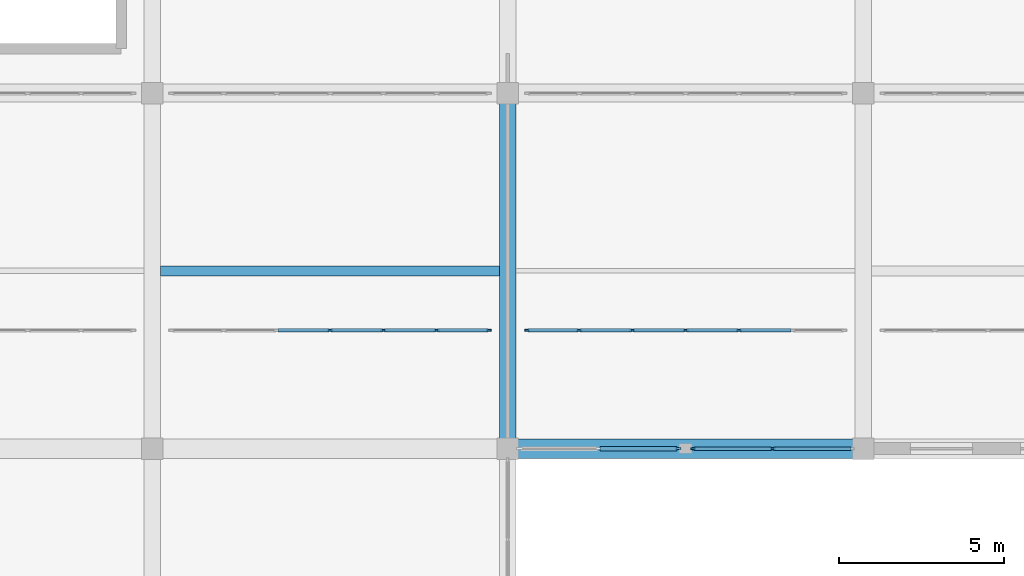
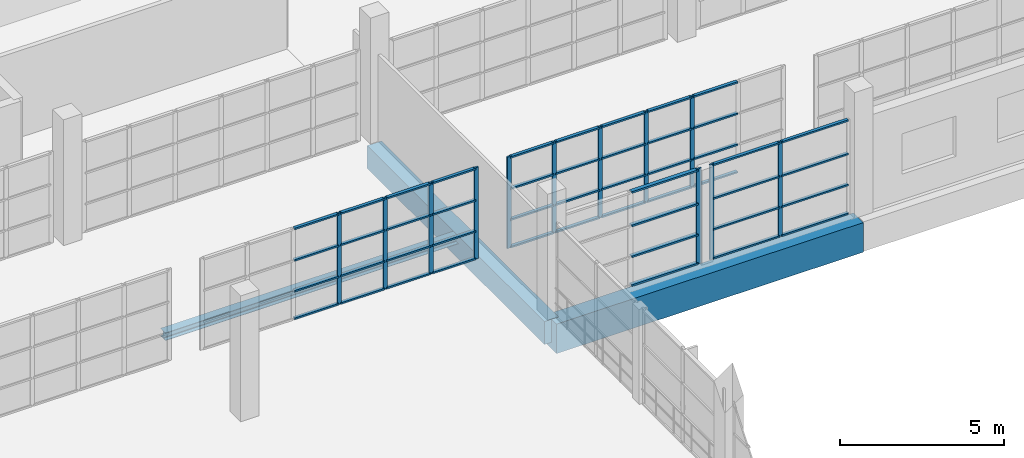
# One storey, part 42 of 142: 60 members, 3 beams, 4 elements without a shape of their own.
"""IFC4 building model written with IfcOpenShell, lengths in metres."""

from ifc_helpers import new_model, si_unit, direction, frame, origin, origin_2d, place, context, subcontext, project, spatial, rectangle, i_section, extrude, material, material_profile, profile_set, type_object, element, aggregate, save


model = new_model("IFC4")

# Units and contexts
model_context = context("Model", 3, precision=1e-05, world=origin(), true_north=direction((0.0, 1.0)))
body_context = subcontext(model_context, "Body", "Model", "MODEL_VIEW")
ifc_project = project(units=[si_unit("LENGTHUNIT", "METRE"), si_unit("AREAUNIT", "SQUARE_METRE"), si_unit("VOLUMEUNIT", "CUBIC_METRE"), si_unit("PLANEANGLEUNIT", "RADIAN"), si_unit("MASSUNIT", "GRAM", prefix="KILO")], contexts=[model_context])

# Site, building, storey
site_placement = place(None, origin())
site = spatial("IfcSite", under=ifc_project, at=site_placement, CompositionType="ELEMENT")
building_placement = place(site_placement, origin())
building = spatial("IfcBuilding", under=site, at=building_placement, Name="Zwinboog Wholesale Market", CompositionType="ELEMENT")
storey_placement = place(building_placement, frame((0.0, 0.0, 5.39990234375)))
storey = spatial("IfcBuildingStorey", under=building, at=storey_placement, Name="L01", CompositionType="ELEMENT", Elevation=5.39990234375)

# Beams
ifc_material_1 = material(Name="Precast concrete C45/55", Category="concrete")
ifc_material_profile_1 = material_profile(ifc_material_1, rectangle(XDim=0.60009765625, YDim=1.10009765625, at=origin_2d()), Name="PC 600x1100")
ifc_profile_set_1 = profile_set([ifc_material_profile_1], Name="Precast concrete C45/55")
beam_type_1 = type_object("IfcBeamType", Name="BT-01", PredefinedType="BEAM", material=ifc_profile_set_1)
beam_1_placement = place(storey_placement, frame((86.39990234375, 86.39990234375, -0.829833984375), z_axis=(1.0, 0.0, 0.0), x_axis=(0.0, 1.0, 0.0)))
element("IfcBeam", 1, at=beam_1_placement, inside=storey, type_object=beam_type_1, Name="BG-01 (BMG-L01-0864-0864-0517)", PredefinedType="BEAM", context=body_context, shape_type="SweptSolid", body=[
    extrude(rectangle(XDim=0.60009765625, YDim=1.10009765625, at=origin_2d()), origin(), (0.0, 0.0, 1.0), 10.800048828125),
])
ifc_material_profile_2 = material_profile(ifc_material_1, rectangle(XDim=0.5, YDim=0.85009765625, at=origin_2d()), Name="PC 500x850")
ifc_profile_set_2 = profile_set([ifc_material_profile_2], Name="Precast concrete C45/55")
beam_type_2 = type_object("IfcBeamType", Name="BT-03", PredefinedType="BEAM", material=ifc_profile_set_2)
beam_2_placement = place(storey_placement, frame((86.39990234375, 86.39990234375, -0.704833984375), z_axis=(0.0, 1.0, 0.0), x_axis=(-1.0, 0.0, 0.0)))
element("IfcBeam", 2, at=beam_2_placement, inside=storey, type_object=beam_type_2, Name="BG-03 (BMG-L01-0864-0864-0685)", PredefinedType="BEAM", context=body_context, shape_type="SweptSolid", body=[
    extrude(rectangle(XDim=0.5, YDim=0.85009765625, at=origin_2d()), origin(), (0.0, 0.0, 1.0), 10.800048828125),
])
ifc_material_2 = material(Name="Steel S355", Category="steel")
ifc_material_profile_3 = material_profile(ifc_material_2, i_section(OverallWidth=0.300048828125, OverallDepth=0.2900390625, WebThickness=0.008544921875, FlangeThickness=0.013916015625, FilletRadius=0.027099609375, at=origin_2d()), Name="HEA 300")
ifc_profile_set_3 = profile_set([ifc_material_profile_3], Name="Steel S355")
beam_type_3 = type_object("IfcBeamType", Name="BT-18", PredefinedType="JOIST", material=ifc_profile_set_3)
beam_3_placement = place(storey_placement, frame((75.85009765625, 91.800048828125, -0.4248046875), z_axis=(1.0, 0.0, 0.0), x_axis=(0.0, 1.0, 0.0)))
element("IfcBeam", 3, at=beam_3_placement, inside=storey, type_object=beam_type_3, Name="SJ-01 (BMG-L01-0758-0918-0826)", PredefinedType="JOIST", context=body_context, shape_type="SweptSolid", body=[
    extrude(i_section(OverallWidth=0.300048828125, OverallDepth=0.2900390625, WebThickness=0.008544921875, FlangeThickness=0.013916015625, FilletRadius=0.027099609375, at=origin_2d()), origin(), (0.0, 0.0, 1.0), 10.2998046875),
])

# Curtain wall, member
ifc_material_3 = material(Name="Aluminium thermally broken curtain wall", Category="aluminium")
curtain_wall_type_1 = type_object("IfcCurtainWallType", Name="CWT-STALL-18", PredefinedType="USERDEFINED", material=ifc_material_3)
curtain_wall_1_placement = place(storey_placement, origin())
curtain_wall_1 = element("IfcCurtainWall", 4, at=curtain_wall_1_placement, inside=storey, type_object=curtain_wall_type_1, Name="CW-01 (CW-L01-097)", ObjectType="STOREFRONT_GLAZING", PredefinedType="USERDEFINED")
ifc_material_4 = material(Name="Aluminium EN AW-6060", Category="aluminium")
ifc_material_profile_4 = material_profile(ifc_material_4, rectangle(XDim=0.06494140625, YDim=0.179931640625, at=origin_2d()), Name="AL 65x180")
ifc_profile_set_4 = profile_set([ifc_material_profile_4], Name="Aluminium EN AW-6060")
member_type_1 = type_object("IfcMemberType", Name="CWM-65x180", PredefinedType="MULLION", material=ifc_profile_set_4)
member_1_placement = place(storey_placement, frame((91.5673828125, 86.39990234375, 0.0), z_axis=(0.0, 0.0, 1.0), x_axis=(0.0, 1.0, 0.0)))
member_1 = element("IfcMember", 5, at=member_1_placement, type_object=member_type_1, Name="CW-01 mullion 3", PredefinedType="MULLION", context=body_context, shape_type="SweptSolid", body=[
    extrude(rectangle(XDim=0.06494140625, YDim=0.179931640625, at=origin_2d()), origin(), (0.0, 0.0, 1.0), 3.530029296875),
])

# Curtain wall, members
curtain_wall_type_2 = type_object("IfcCurtainWallType", Name="CWT-STALL-20", PredefinedType="USERDEFINED", material=ifc_material_3)
curtain_wall_2_placement = place(storey_placement, origin())
curtain_wall_2 = element("IfcCurtainWall", 6, at=curtain_wall_2_placement, inside=storey, type_object=curtain_wall_type_2, Name="CW-02 (CW-L01-098)", ObjectType="STOREFRONT_GLAZING", PredefinedType="USERDEFINED")
ifc_material_profile_5 = material_profile(ifc_material_4, rectangle(XDim=0.06005859375, YDim=0.14990234375, at=origin_2d()), Name="AL 60x150")
ifc_profile_set_5 = profile_set([ifc_material_profile_5], Name="Aluminium EN AW-6060")
member_type_2 = type_object("IfcMemberType", Name="CWM-60x150", PredefinedType="MULLION", material=ifc_profile_set_5)
member_2_placement = place(storey_placement, frame((92.030029296875, 86.39990234375, 0.0), z_axis=(0.0, 0.0, 1.0), x_axis=(0.0, 1.0, 0.0)))
member_2 = element("IfcMember", 7, at=member_2_placement, type_object=member_type_2, Name="CW-02 mullion 1", PredefinedType="MULLION", context=body_context, shape_type="SweptSolid", body=[
    extrude(rectangle(XDim=0.06005859375, YDim=0.14990234375, at=origin_2d()), origin(), (0.0, 0.0, 1.0), 3.530029296875),
])
member_3_placement = place(storey_placement, frame((94.43994140625, 86.39990234375, 0.0), z_axis=(0.0, 0.0, 1.0), x_axis=(0.0, 1.0, 0.0)))
member_3 = element("IfcMember", 8, at=member_3_placement, type_object=member_type_2, Name="CW-02 mullion 2", PredefinedType="MULLION", context=body_context, shape_type="SweptSolid", body=[
    extrude(rectangle(XDim=0.06005859375, YDim=0.14990234375, at=origin_2d()), origin(), (0.0, 0.0, 1.0), 3.530029296875),
])

# Member
ifc_material_profile_6 = material_profile(ifc_material_4, rectangle(XDim=0.139892578125, YDim=0.06494140625, at=origin_2d()), Name="AL 65x140")
ifc_profile_set_6 = profile_set([ifc_material_profile_6], Name="Aluminium EN AW-6060")
member_type_3 = type_object("IfcMemberType", Name="CWT-65x140", PredefinedType="USERDEFINED", material=ifc_profile_set_6)
member_4_placement = place(storey_placement, frame((89.1923828125, 86.39990234375, 0.03271484375), z_axis=(1.0, 0.0, 0.0), x_axis=(0.0, 1.0, 0.0)))
member_4 = element("IfcMember", 9, at=member_4_placement, type_object=member_type_3, Name="CW-01 transom 2.1", ObjectType="TRANSOM", PredefinedType="USERDEFINED", context=body_context, shape_type="SweptSolid", body=[
    extrude(rectangle(XDim=0.139892578125, YDim=0.06494140625, at=origin_2d()), origin(), (0.0, 0.0, 1.0), 2.342529296875),
])

member_5_placement = place(storey_placement, frame((89.1923828125, 86.39990234375, 1.10009765625), z_axis=(1.0, 0.0, 0.0), x_axis=(0.0, 1.0, 0.0)))
member_5 = element("IfcMember", 10, at=member_5_placement, type_object=member_type_3, Name="CW-01 transom 2.2", ObjectType="TRANSOM", PredefinedType="USERDEFINED", context=body_context, shape_type="SweptSolid", body=[
    extrude(rectangle(XDim=0.139892578125, YDim=0.06494140625, at=origin_2d()), origin(), (0.0, 0.0, 1.0), 2.342529296875),
])

member_6_placement = place(storey_placement, frame((89.1923828125, 86.39990234375, 2.25), z_axis=(1.0, 0.0, 0.0), x_axis=(0.0, 1.0, 0.0)))
member_6 = element("IfcMember", 11, at=member_6_placement, type_object=member_type_3, Name="CW-01 transom 2.3", ObjectType="TRANSOM", PredefinedType="USERDEFINED", context=body_context, shape_type="SweptSolid", body=[
    extrude(rectangle(XDim=0.139892578125, YDim=0.06494140625, at=origin_2d()), origin(), (0.0, 0.0, 1.0), 2.342529296875),
])

member_7_placement = place(storey_placement, frame((89.1923828125, 86.39990234375, 3.49755859375), z_axis=(1.0, 0.0, 0.0), x_axis=(0.0, 1.0, 0.0)))
member_7 = element("IfcMember", 12, at=member_7_placement, type_object=member_type_3, Name="CW-01 transom 2.4", ObjectType="TRANSOM", PredefinedType="USERDEFINED", context=body_context, shape_type="SweptSolid", body=[
    extrude(rectangle(XDim=0.139892578125, YDim=0.06494140625, at=origin_2d()), origin(), (0.0, 0.0, 1.0), 2.342529296875),
])

aggregate(curtain_wall_1, [member_1, member_4, member_5, member_6, member_7])

ifc_material_profile_7 = material_profile(ifc_material_4, rectangle(XDim=0.110107421875, YDim=0.06005859375, at=origin_2d()), Name="AL 60x110")
ifc_profile_set_7 = profile_set([ifc_material_profile_7], Name="Aluminium EN AW-6060")
member_type_4 = type_object("IfcMemberType", Name="CWT-60x110", PredefinedType="USERDEFINED", material=ifc_profile_set_7)
member_8_placement = place(storey_placement, frame((92.06005859375, 86.39990234375, 0.030029296875), z_axis=(1.0, 0.0, 0.0), x_axis=(0.0, 1.0, 0.0)))
member_8 = element("IfcMember", 13, at=member_8_placement, type_object=member_type_4, Name="CW-02 transom 1.1", ObjectType="TRANSOM", PredefinedType="USERDEFINED", context=body_context, shape_type="SweptSolid", body=[
    extrude(rectangle(XDim=0.110107421875, YDim=0.06005859375, at=origin_2d()), origin(), (0.0, 0.0, 1.0), 2.349853515625),
])

member_9_placement = place(storey_placement, frame((92.06005859375, 86.39990234375, 1.10009765625), z_axis=(1.0, 0.0, 0.0), x_axis=(0.0, 1.0, 0.0)))
member_9 = element("IfcMember", 14, at=member_9_placement, type_object=member_type_4, Name="CW-02 transom 1.2", ObjectType="TRANSOM", PredefinedType="USERDEFINED", context=body_context, shape_type="SweptSolid", body=[
    extrude(rectangle(XDim=0.110107421875, YDim=0.06005859375, at=origin_2d()), origin(), (0.0, 0.0, 1.0), 2.349853515625),
])

member_10_placement = place(storey_placement, frame((92.06005859375, 86.39990234375, 2.25), z_axis=(1.0, 0.0, 0.0), x_axis=(0.0, 1.0, 0.0)))
member_10 = element("IfcMember", 15, at=member_10_placement, type_object=member_type_4, Name="CW-02 transom 1.3", ObjectType="TRANSOM", PredefinedType="USERDEFINED", context=body_context, shape_type="SweptSolid", body=[
    extrude(rectangle(XDim=0.110107421875, YDim=0.06005859375, at=origin_2d()), origin(), (0.0, 0.0, 1.0), 2.349853515625),
])

member_11_placement = place(storey_placement, frame((92.06005859375, 86.39990234375, 3.5), z_axis=(1.0, 0.0, 0.0), x_axis=(0.0, 1.0, 0.0)))
member_11 = element("IfcMember", 16, at=member_11_placement, type_object=member_type_4, Name="CW-02 transom 1.4", ObjectType="TRANSOM", PredefinedType="USERDEFINED", context=body_context, shape_type="SweptSolid", body=[
    extrude(rectangle(XDim=0.110107421875, YDim=0.06005859375, at=origin_2d()), origin(), (0.0, 0.0, 1.0), 2.349853515625),
])

member_12_placement = place(storey_placement, frame((94.469970703125, 86.39990234375, 0.030029296875), z_axis=(1.0, 0.0, 0.0), x_axis=(0.0, 1.0, 0.0)))
member_12 = element("IfcMember", 17, at=member_12_placement, type_object=member_type_4, Name="CW-02 transom 2.1", ObjectType="TRANSOM", PredefinedType="USERDEFINED", context=body_context, shape_type="SweptSolid", body=[
    extrude(rectangle(XDim=0.110107421875, YDim=0.06005859375, at=origin_2d()), origin(), (0.0, 0.0, 1.0), 2.35009765625),
])

member_13_placement = place(storey_placement, frame((94.469970703125, 86.39990234375, 1.10009765625), z_axis=(1.0, 0.0, 0.0), x_axis=(0.0, 1.0, 0.0)))
member_13 = element("IfcMember", 18, at=member_13_placement, type_object=member_type_4, Name="CW-02 transom 2.2", ObjectType="TRANSOM", PredefinedType="USERDEFINED", context=body_context, shape_type="SweptSolid", body=[
    extrude(rectangle(XDim=0.110107421875, YDim=0.06005859375, at=origin_2d()), origin(), (0.0, 0.0, 1.0), 2.35009765625),
])

member_14_placement = place(storey_placement, frame((94.469970703125, 86.39990234375, 2.25), z_axis=(1.0, 0.0, 0.0), x_axis=(0.0, 1.0, 0.0)))
member_14 = element("IfcMember", 19, at=member_14_placement, type_object=member_type_4, Name="CW-02 transom 2.3", ObjectType="TRANSOM", PredefinedType="USERDEFINED", context=body_context, shape_type="SweptSolid", body=[
    extrude(rectangle(XDim=0.110107421875, YDim=0.06005859375, at=origin_2d()), origin(), (0.0, 0.0, 1.0), 2.35009765625),
])

member_15_placement = place(storey_placement, frame((94.469970703125, 86.39990234375, 3.5), z_axis=(1.0, 0.0, 0.0), x_axis=(0.0, 1.0, 0.0)))
member_15 = element("IfcMember", 20, at=member_15_placement, type_object=member_type_4, Name="CW-02 transom 2.4", ObjectType="TRANSOM", PredefinedType="USERDEFINED", context=body_context, shape_type="SweptSolid", body=[
    extrude(rectangle(XDim=0.110107421875, YDim=0.06005859375, at=origin_2d()), origin(), (0.0, 0.0, 1.0), 2.35009765625),
])

aggregate(curtain_wall_2, [member_2, member_3, member_8, member_9, member_10, member_11, member_12, member_13, member_14, member_15])

# Curtain wall, members
curtain_wall_type_3 = type_object("IfcCurtainWallType", Name="CWT-INT-STALL", PredefinedType="USERDEFINED", material=ifc_material_3)
curtain_wall_3_placement = place(storey_placement, origin())
curtain_wall_3 = element("IfcCurtainWall", 21, at=curtain_wall_3_placement, inside=storey, type_object=curtain_wall_type_3, Name="CW-07 (CW-STL-236)", ObjectType="STOREFRONT_GLAZING", PredefinedType="USERDEFINED")
ifc_material_profile_8 = material_profile(ifc_material_4, rectangle(XDim=0.06005859375, YDim=0.14990234375, at=origin_2d()), Name="AL 60x150")
ifc_profile_set_8 = profile_set([ifc_material_profile_8], Name="Aluminium EN AW-6060")
member_type_5 = type_object("IfcMemberType", Name="CWM-INT-60x120", PredefinedType="MULLION", material=ifc_profile_set_8)
member_16_placement = place(storey_placement, frame((81.0, 90.0, 0.0), z_axis=(0.0, 0.0, 1.0), x_axis=(0.0, 1.0, 0.0)))
member_16 = element("IfcMember", 22, at=member_16_placement, type_object=member_type_5, Name="CW-07 mullion 4", PredefinedType="MULLION", context=body_context, shape_type="SweptSolid", body=[
    extrude(rectangle(XDim=0.06005859375, YDim=0.14990234375, at=origin_2d()), origin(), (0.0, 0.0, 1.0), 3.400146484375),
])
member_17_placement = place(storey_placement, frame((82.61669921875, 90.0, 0.0), z_axis=(0.0, 0.0, 1.0), x_axis=(0.0, 1.0, 0.0)))
member_17 = element("IfcMember", 23, at=member_17_placement, type_object=member_type_5, Name="CW-07 mullion 5", PredefinedType="MULLION", context=body_context, shape_type="SweptSolid", body=[
    extrude(rectangle(XDim=0.06005859375, YDim=0.14990234375, at=origin_2d()), origin(), (0.0, 0.0, 1.0), 3.400146484375),
])
member_18_placement = place(storey_placement, frame((84.2333984375, 90.0, 0.0), z_axis=(0.0, 0.0, 1.0), x_axis=(0.0, 1.0, 0.0)))
member_18 = element("IfcMember", 24, at=member_18_placement, type_object=member_type_5, Name="CW-07 mullion 6", PredefinedType="MULLION", context=body_context, shape_type="SweptSolid", body=[
    extrude(rectangle(XDim=0.06005859375, YDim=0.14990234375, at=origin_2d()), origin(), (0.0, 0.0, 1.0), 3.400146484375),
])
member_19_placement = place(storey_placement, frame((85.820068359375, 90.0, 0.0), z_axis=(0.0, 0.0, 1.0), x_axis=(0.0, 1.0, 0.0)))
member_19 = element("IfcMember", 25, at=member_19_placement, type_object=member_type_5, Name="CW-07 mullion 7", PredefinedType="MULLION", context=body_context, shape_type="SweptSolid", body=[
    extrude(rectangle(XDim=0.06005859375, YDim=0.14990234375, at=origin_2d()), origin(), (0.0, 0.0, 1.0), 3.400146484375),
])

curtain_wall_4_placement = place(storey_placement, origin())
curtain_wall_4 = element("IfcCurtainWall", 26, at=curtain_wall_4_placement, inside=storey, type_object=curtain_wall_type_3, Name="CW-07 (CW-STL-237)", ObjectType="STOREFRONT_GLAZING", PredefinedType="USERDEFINED")
member_20_placement = place(storey_placement, frame((86.97998046875, 90.0, 0.0), z_axis=(0.0, 0.0, 1.0), x_axis=(0.0, 1.0, 0.0)))
member_20 = element("IfcMember", 27, at=member_20_placement, type_object=member_type_5, Name="CW-07 mullion 1", PredefinedType="MULLION", context=body_context, shape_type="SweptSolid", body=[
    extrude(rectangle(XDim=0.06005859375, YDim=0.14990234375, at=origin_2d()), origin(), (0.0, 0.0, 1.0), 3.400146484375),
])
member_21_placement = place(storey_placement, frame((88.566650390625, 90.0, 0.0), z_axis=(0.0, 0.0, 1.0), x_axis=(0.0, 1.0, 0.0)))
member_21 = element("IfcMember", 28, at=member_21_placement, type_object=member_type_5, Name="CW-07 mullion 2", PredefinedType="MULLION", context=body_context, shape_type="SweptSolid", body=[
    extrude(rectangle(XDim=0.06005859375, YDim=0.14990234375, at=origin_2d()), origin(), (0.0, 0.0, 1.0), 3.400146484375),
])
member_22_placement = place(storey_placement, frame((90.183349609375, 90.0, 0.0), z_axis=(0.0, 0.0, 1.0), x_axis=(0.0, 1.0, 0.0)))
member_22 = element("IfcMember", 29, at=member_22_placement, type_object=member_type_5, Name="CW-07 mullion 3", PredefinedType="MULLION", context=body_context, shape_type="SweptSolid", body=[
    extrude(rectangle(XDim=0.06005859375, YDim=0.14990234375, at=origin_2d()), origin(), (0.0, 0.0, 1.0), 3.400146484375),
])
member_23_placement = place(storey_placement, frame((91.800048828125, 90.0, 0.0), z_axis=(0.0, 0.0, 1.0), x_axis=(0.0, 1.0, 0.0)))
member_23 = element("IfcMember", 30, at=member_23_placement, type_object=member_type_5, Name="CW-07 mullion 4", PredefinedType="MULLION", context=body_context, shape_type="SweptSolid", body=[
    extrude(rectangle(XDim=0.06005859375, YDim=0.14990234375, at=origin_2d()), origin(), (0.0, 0.0, 1.0), 3.400146484375),
])
member_24_placement = place(storey_placement, frame((93.416748046875, 90.0, 0.0), z_axis=(0.0, 0.0, 1.0), x_axis=(0.0, 1.0, 0.0)))
member_24 = element("IfcMember", 31, at=member_24_placement, type_object=member_type_5, Name="CW-07 mullion 5", PredefinedType="MULLION", context=body_context, shape_type="SweptSolid", body=[
    extrude(rectangle(XDim=0.06005859375, YDim=0.14990234375, at=origin_2d()), origin(), (0.0, 0.0, 1.0), 3.400146484375),
])

# Member
ifc_material_profile_9 = material_profile(ifc_material_4, rectangle(XDim=0.110107421875, YDim=0.06005859375, at=origin_2d()), Name="AL 60x110")
ifc_profile_set_9 = profile_set([ifc_material_profile_9], Name="Aluminium EN AW-6060")
member_type_6 = type_object("IfcMemberType", Name="CWT-INT-60x100", PredefinedType="USERDEFINED", material=ifc_profile_set_9)
member_25_placement = place(storey_placement, frame((79.413330078125, 90.0, 0.030029296875), z_axis=(1.0, 0.0, 0.0), x_axis=(0.0, 1.0, 0.0)))
member_25 = element("IfcMember", 32, at=member_25_placement, type_object=member_type_6, Name="CW-07 transom 3.1", ObjectType="TRANSOM", PredefinedType="USERDEFINED", context=body_context, shape_type="SweptSolid", body=[
    extrude(rectangle(XDim=0.110107421875, YDim=0.06005859375, at=origin_2d()), origin(), (0.0, 0.0, 1.0), 1.556640625),
])

member_26_placement = place(storey_placement, frame((79.413330078125, 90.0, 1.050048828125), z_axis=(1.0, 0.0, 0.0), x_axis=(0.0, 1.0, 0.0)))
member_26 = element("IfcMember", 33, at=member_26_placement, type_object=member_type_6, Name="CW-07 transom 3.2", ObjectType="TRANSOM", PredefinedType="USERDEFINED", context=body_context, shape_type="SweptSolid", body=[
    extrude(rectangle(XDim=0.110107421875, YDim=0.06005859375, at=origin_2d()), origin(), (0.0, 0.0, 1.0), 1.556640625),
])

member_27_placement = place(storey_placement, frame((79.413330078125, 90.0, 2.2001953125), z_axis=(1.0, 0.0, 0.0), x_axis=(0.0, 1.0, 0.0)))
member_27 = element("IfcMember", 34, at=member_27_placement, type_object=member_type_6, Name="CW-07 transom 3.3", ObjectType="TRANSOM", PredefinedType="USERDEFINED", context=body_context, shape_type="SweptSolid", body=[
    extrude(rectangle(XDim=0.110107421875, YDim=0.06005859375, at=origin_2d()), origin(), (0.0, 0.0, 1.0), 1.556640625),
])

member_28_placement = place(storey_placement, frame((79.413330078125, 90.0, 3.3701171875), z_axis=(1.0, 0.0, 0.0), x_axis=(0.0, 1.0, 0.0)))
member_28 = element("IfcMember", 35, at=member_28_placement, type_object=member_type_6, Name="CW-07 transom 3.4", ObjectType="TRANSOM", PredefinedType="USERDEFINED", context=body_context, shape_type="SweptSolid", body=[
    extrude(rectangle(XDim=0.110107421875, YDim=0.06005859375, at=origin_2d()), origin(), (0.0, 0.0, 1.0), 1.556640625),
])

member_29_placement = place(storey_placement, frame((81.030029296875, 90.0, 0.030029296875), z_axis=(1.0, 0.0, 0.0), x_axis=(0.0, 1.0, 0.0)))
member_29 = element("IfcMember", 36, at=member_29_placement, type_object=member_type_6, Name="CW-07 transom 4.1", ObjectType="TRANSOM", PredefinedType="USERDEFINED", context=body_context, shape_type="SweptSolid", body=[
    extrude(rectangle(XDim=0.110107421875, YDim=0.06005859375, at=origin_2d()), origin(), (0.0, 0.0, 1.0), 1.556640625),
])

member_30_placement = place(storey_placement, frame((81.030029296875, 90.0, 1.050048828125), z_axis=(1.0, 0.0, 0.0), x_axis=(0.0, 1.0, 0.0)))
member_30 = element("IfcMember", 37, at=member_30_placement, type_object=member_type_6, Name="CW-07 transom 4.2", ObjectType="TRANSOM", PredefinedType="USERDEFINED", context=body_context, shape_type="SweptSolid", body=[
    extrude(rectangle(XDim=0.110107421875, YDim=0.06005859375, at=origin_2d()), origin(), (0.0, 0.0, 1.0), 1.556640625),
])

member_31_placement = place(storey_placement, frame((81.030029296875, 90.0, 2.2001953125), z_axis=(1.0, 0.0, 0.0), x_axis=(0.0, 1.0, 0.0)))
member_31 = element("IfcMember", 38, at=member_31_placement, type_object=member_type_6, Name="CW-07 transom 4.3", ObjectType="TRANSOM", PredefinedType="USERDEFINED", context=body_context, shape_type="SweptSolid", body=[
    extrude(rectangle(XDim=0.110107421875, YDim=0.06005859375, at=origin_2d()), origin(), (0.0, 0.0, 1.0), 1.556640625),
])

member_32_placement = place(storey_placement, frame((81.030029296875, 90.0, 3.3701171875), z_axis=(1.0, 0.0, 0.0), x_axis=(0.0, 1.0, 0.0)))
member_32 = element("IfcMember", 39, at=member_32_placement, type_object=member_type_6, Name="CW-07 transom 4.4", ObjectType="TRANSOM", PredefinedType="USERDEFINED", context=body_context, shape_type="SweptSolid", body=[
    extrude(rectangle(XDim=0.110107421875, YDim=0.06005859375, at=origin_2d()), origin(), (0.0, 0.0, 1.0), 1.556640625),
])

member_33_placement = place(storey_placement, frame((82.646728515625, 90.0, 0.030029296875), z_axis=(1.0, 0.0, 0.0), x_axis=(0.0, 1.0, 0.0)))
member_33 = element("IfcMember", 40, at=member_33_placement, type_object=member_type_6, Name="CW-07 transom 5.1", ObjectType="TRANSOM", PredefinedType="USERDEFINED", context=body_context, shape_type="SweptSolid", body=[
    extrude(rectangle(XDim=0.110107421875, YDim=0.06005859375, at=origin_2d()), origin(), (0.0, 0.0, 1.0), 1.556640625),
])

member_34_placement = place(storey_placement, frame((82.646728515625, 90.0, 1.050048828125), z_axis=(1.0, 0.0, 0.0), x_axis=(0.0, 1.0, 0.0)))
member_34 = element("IfcMember", 41, at=member_34_placement, type_object=member_type_6, Name="CW-07 transom 5.2", ObjectType="TRANSOM", PredefinedType="USERDEFINED", context=body_context, shape_type="SweptSolid", body=[
    extrude(rectangle(XDim=0.110107421875, YDim=0.06005859375, at=origin_2d()), origin(), (0.0, 0.0, 1.0), 1.556640625),
])

member_35_placement = place(storey_placement, frame((82.646728515625, 90.0, 2.2001953125), z_axis=(1.0, 0.0, 0.0), x_axis=(0.0, 1.0, 0.0)))
member_35 = element("IfcMember", 42, at=member_35_placement, type_object=member_type_6, Name="CW-07 transom 5.3", ObjectType="TRANSOM", PredefinedType="USERDEFINED", context=body_context, shape_type="SweptSolid", body=[
    extrude(rectangle(XDim=0.110107421875, YDim=0.06005859375, at=origin_2d()), origin(), (0.0, 0.0, 1.0), 1.556640625),
])

member_36_placement = place(storey_placement, frame((82.646728515625, 90.0, 3.3701171875), z_axis=(1.0, 0.0, 0.0), x_axis=(0.0, 1.0, 0.0)))
member_36 = element("IfcMember", 43, at=member_36_placement, type_object=member_type_6, Name="CW-07 transom 5.4", ObjectType="TRANSOM", PredefinedType="USERDEFINED", context=body_context, shape_type="SweptSolid", body=[
    extrude(rectangle(XDim=0.110107421875, YDim=0.06005859375, at=origin_2d()), origin(), (0.0, 0.0, 1.0), 1.556640625),
])

member_37_placement = place(storey_placement, frame((84.263427734375, 90.0, 0.030029296875), z_axis=(1.0, 0.0, 0.0), x_axis=(0.0, 1.0, 0.0)))
member_37 = element("IfcMember", 44, at=member_37_placement, type_object=member_type_6, Name="CW-07 transom 6.1", ObjectType="TRANSOM", PredefinedType="USERDEFINED", context=body_context, shape_type="SweptSolid", body=[
    extrude(rectangle(XDim=0.110107421875, YDim=0.06005859375, at=origin_2d()), origin(), (0.0, 0.0, 1.0), 1.526611328125),
])

member_38_placement = place(storey_placement, frame((84.263427734375, 90.0, 1.050048828125), z_axis=(1.0, 0.0, 0.0), x_axis=(0.0, 1.0, 0.0)))
member_38 = element("IfcMember", 45, at=member_38_placement, type_object=member_type_6, Name="CW-07 transom 6.2", ObjectType="TRANSOM", PredefinedType="USERDEFINED", context=body_context, shape_type="SweptSolid", body=[
    extrude(rectangle(XDim=0.110107421875, YDim=0.06005859375, at=origin_2d()), origin(), (0.0, 0.0, 1.0), 1.526611328125),
])

member_39_placement = place(storey_placement, frame((84.263427734375, 90.0, 2.2001953125), z_axis=(1.0, 0.0, 0.0), x_axis=(0.0, 1.0, 0.0)))
member_39 = element("IfcMember", 46, at=member_39_placement, type_object=member_type_6, Name="CW-07 transom 6.3", ObjectType="TRANSOM", PredefinedType="USERDEFINED", context=body_context, shape_type="SweptSolid", body=[
    extrude(rectangle(XDim=0.110107421875, YDim=0.06005859375, at=origin_2d()), origin(), (0.0, 0.0, 1.0), 1.526611328125),
])

member_40_placement = place(storey_placement, frame((84.263427734375, 90.0, 3.3701171875), z_axis=(1.0, 0.0, 0.0), x_axis=(0.0, 1.0, 0.0)))
member_40 = element("IfcMember", 47, at=member_40_placement, type_object=member_type_6, Name="CW-07 transom 6.4", ObjectType="TRANSOM", PredefinedType="USERDEFINED", context=body_context, shape_type="SweptSolid", body=[
    extrude(rectangle(XDim=0.110107421875, YDim=0.06005859375, at=origin_2d()), origin(), (0.0, 0.0, 1.0), 1.526611328125),
])

aggregate(curtain_wall_3, [member_16, member_17, member_18, member_19, member_25, member_26, member_27, member_28, member_29, member_30, member_31, member_32, member_33, member_34, member_35, member_36, member_37, member_38, member_39, member_40])

member_41_placement = place(storey_placement, frame((87.010009765625, 90.0, 0.030029296875), z_axis=(1.0, 0.0, 0.0), x_axis=(0.0, 1.0, 0.0)))
member_41 = element("IfcMember", 48, at=member_41_placement, type_object=member_type_6, Name="CW-07 transom 1.1", ObjectType="TRANSOM", PredefinedType="USERDEFINED", context=body_context, shape_type="SweptSolid", body=[
    extrude(rectangle(XDim=0.110107421875, YDim=0.06005859375, at=origin_2d()), origin(), (0.0, 0.0, 1.0), 1.526611328125),
])

member_42_placement = place(storey_placement, frame((87.010009765625, 90.0, 1.050048828125), z_axis=(1.0, 0.0, 0.0), x_axis=(0.0, 1.0, 0.0)))
member_42 = element("IfcMember", 49, at=member_42_placement, type_object=member_type_6, Name="CW-07 transom 1.2", ObjectType="TRANSOM", PredefinedType="USERDEFINED", context=body_context, shape_type="SweptSolid", body=[
    extrude(rectangle(XDim=0.110107421875, YDim=0.06005859375, at=origin_2d()), origin(), (0.0, 0.0, 1.0), 1.526611328125),
])

member_43_placement = place(storey_placement, frame((87.010009765625, 90.0, 2.2001953125), z_axis=(1.0, 0.0, 0.0), x_axis=(0.0, 1.0, 0.0)))
member_43 = element("IfcMember", 50, at=member_43_placement, type_object=member_type_6, Name="CW-07 transom 1.3", ObjectType="TRANSOM", PredefinedType="USERDEFINED", context=body_context, shape_type="SweptSolid", body=[
    extrude(rectangle(XDim=0.110107421875, YDim=0.06005859375, at=origin_2d()), origin(), (0.0, 0.0, 1.0), 1.526611328125),
])

member_44_placement = place(storey_placement, frame((87.010009765625, 90.0, 3.3701171875), z_axis=(1.0, 0.0, 0.0), x_axis=(0.0, 1.0, 0.0)))
member_44 = element("IfcMember", 51, at=member_44_placement, type_object=member_type_6, Name="CW-07 transom 1.4", ObjectType="TRANSOM", PredefinedType="USERDEFINED", context=body_context, shape_type="SweptSolid", body=[
    extrude(rectangle(XDim=0.110107421875, YDim=0.06005859375, at=origin_2d()), origin(), (0.0, 0.0, 1.0), 1.526611328125),
])

member_45_placement = place(storey_placement, frame((88.5966796875, 90.0, 0.030029296875), z_axis=(1.0, 0.0, 0.0), x_axis=(0.0, 1.0, 0.0)))
member_45 = element("IfcMember", 52, at=member_45_placement, type_object=member_type_6, Name="CW-07 transom 2.1", ObjectType="TRANSOM", PredefinedType="USERDEFINED", context=body_context, shape_type="SweptSolid", body=[
    extrude(rectangle(XDim=0.110107421875, YDim=0.06005859375, at=origin_2d()), origin(), (0.0, 0.0, 1.0), 1.556640625),
])

member_46_placement = place(storey_placement, frame((88.5966796875, 90.0, 1.050048828125), z_axis=(1.0, 0.0, 0.0), x_axis=(0.0, 1.0, 0.0)))
member_46 = element("IfcMember", 53, at=member_46_placement, type_object=member_type_6, Name="CW-07 transom 2.2", ObjectType="TRANSOM", PredefinedType="USERDEFINED", context=body_context, shape_type="SweptSolid", body=[
    extrude(rectangle(XDim=0.110107421875, YDim=0.06005859375, at=origin_2d()), origin(), (0.0, 0.0, 1.0), 1.556640625),
])

member_47_placement = place(storey_placement, frame((88.5966796875, 90.0, 2.2001953125), z_axis=(1.0, 0.0, 0.0), x_axis=(0.0, 1.0, 0.0)))
member_47 = element("IfcMember", 54, at=member_47_placement, type_object=member_type_6, Name="CW-07 transom 2.3", ObjectType="TRANSOM", PredefinedType="USERDEFINED", context=body_context, shape_type="SweptSolid", body=[
    extrude(rectangle(XDim=0.110107421875, YDim=0.06005859375, at=origin_2d()), origin(), (0.0, 0.0, 1.0), 1.556640625),
])

member_48_placement = place(storey_placement, frame((88.5966796875, 90.0, 3.3701171875), z_axis=(1.0, 0.0, 0.0), x_axis=(0.0, 1.0, 0.0)))
member_48 = element("IfcMember", 55, at=member_48_placement, type_object=member_type_6, Name="CW-07 transom 2.4", ObjectType="TRANSOM", PredefinedType="USERDEFINED", context=body_context, shape_type="SweptSolid", body=[
    extrude(rectangle(XDim=0.110107421875, YDim=0.06005859375, at=origin_2d()), origin(), (0.0, 0.0, 1.0), 1.556640625),
])

member_49_placement = place(storey_placement, frame((90.21337890625, 90.0, 0.030029296875), z_axis=(1.0, 0.0, 0.0), x_axis=(0.0, 1.0, 0.0)))
member_49 = element("IfcMember", 56, at=member_49_placement, type_object=member_type_6, Name="CW-07 transom 3.1", ObjectType="TRANSOM", PredefinedType="USERDEFINED", context=body_context, shape_type="SweptSolid", body=[
    extrude(rectangle(XDim=0.110107421875, YDim=0.06005859375, at=origin_2d()), origin(), (0.0, 0.0, 1.0), 1.556640625),
])

member_50_placement = place(storey_placement, frame((90.21337890625, 90.0, 1.050048828125), z_axis=(1.0, 0.0, 0.0), x_axis=(0.0, 1.0, 0.0)))
member_50 = element("IfcMember", 57, at=member_50_placement, type_object=member_type_6, Name="CW-07 transom 3.2", ObjectType="TRANSOM", PredefinedType="USERDEFINED", context=body_context, shape_type="SweptSolid", body=[
    extrude(rectangle(XDim=0.110107421875, YDim=0.06005859375, at=origin_2d()), origin(), (0.0, 0.0, 1.0), 1.556640625),
])

member_51_placement = place(storey_placement, frame((90.21337890625, 90.0, 2.2001953125), z_axis=(1.0, 0.0, 0.0), x_axis=(0.0, 1.0, 0.0)))
member_51 = element("IfcMember", 58, at=member_51_placement, type_object=member_type_6, Name="CW-07 transom 3.3", ObjectType="TRANSOM", PredefinedType="USERDEFINED", context=body_context, shape_type="SweptSolid", body=[
    extrude(rectangle(XDim=0.110107421875, YDim=0.06005859375, at=origin_2d()), origin(), (0.0, 0.0, 1.0), 1.556640625),
])

member_52_placement = place(storey_placement, frame((90.21337890625, 90.0, 3.3701171875), z_axis=(1.0, 0.0, 0.0), x_axis=(0.0, 1.0, 0.0)))
member_52 = element("IfcMember", 59, at=member_52_placement, type_object=member_type_6, Name="CW-07 transom 3.4", ObjectType="TRANSOM", PredefinedType="USERDEFINED", context=body_context, shape_type="SweptSolid", body=[
    extrude(rectangle(XDim=0.110107421875, YDim=0.06005859375, at=origin_2d()), origin(), (0.0, 0.0, 1.0), 1.556640625),
])

member_53_placement = place(storey_placement, frame((91.830078125, 90.0, 0.030029296875), z_axis=(1.0, 0.0, 0.0), x_axis=(0.0, 1.0, 0.0)))
member_53 = element("IfcMember", 60, at=member_53_placement, type_object=member_type_6, Name="CW-07 transom 4.1", ObjectType="TRANSOM", PredefinedType="USERDEFINED", context=body_context, shape_type="SweptSolid", body=[
    extrude(rectangle(XDim=0.110107421875, YDim=0.06005859375, at=origin_2d()), origin(), (0.0, 0.0, 1.0), 1.556640625),
])

member_54_placement = place(storey_placement, frame((91.830078125, 90.0, 1.050048828125), z_axis=(1.0, 0.0, 0.0), x_axis=(0.0, 1.0, 0.0)))
member_54 = element("IfcMember", 61, at=member_54_placement, type_object=member_type_6, Name="CW-07 transom 4.2", ObjectType="TRANSOM", PredefinedType="USERDEFINED", context=body_context, shape_type="SweptSolid", body=[
    extrude(rectangle(XDim=0.110107421875, YDim=0.06005859375, at=origin_2d()), origin(), (0.0, 0.0, 1.0), 1.556640625),
])

member_55_placement = place(storey_placement, frame((91.830078125, 90.0, 2.2001953125), z_axis=(1.0, 0.0, 0.0), x_axis=(0.0, 1.0, 0.0)))
member_55 = element("IfcMember", 62, at=member_55_placement, type_object=member_type_6, Name="CW-07 transom 4.3", ObjectType="TRANSOM", PredefinedType="USERDEFINED", context=body_context, shape_type="SweptSolid", body=[
    extrude(rectangle(XDim=0.110107421875, YDim=0.06005859375, at=origin_2d()), origin(), (0.0, 0.0, 1.0), 1.556640625),
])

member_56_placement = place(storey_placement, frame((91.830078125, 90.0, 3.3701171875), z_axis=(1.0, 0.0, 0.0), x_axis=(0.0, 1.0, 0.0)))
member_56 = element("IfcMember", 63, at=member_56_placement, type_object=member_type_6, Name="CW-07 transom 4.4", ObjectType="TRANSOM", PredefinedType="USERDEFINED", context=body_context, shape_type="SweptSolid", body=[
    extrude(rectangle(XDim=0.110107421875, YDim=0.06005859375, at=origin_2d()), origin(), (0.0, 0.0, 1.0), 1.556640625),
])

member_57_placement = place(storey_placement, frame((93.44677734375, 90.0, 0.030029296875), z_axis=(1.0, 0.0, 0.0), x_axis=(0.0, 1.0, 0.0)))
member_57 = element("IfcMember", 64, at=member_57_placement, type_object=member_type_6, Name="CW-07 transom 5.1", ObjectType="TRANSOM", PredefinedType="USERDEFINED", context=body_context, shape_type="SweptSolid", body=[
    extrude(rectangle(XDim=0.110107421875, YDim=0.06005859375, at=origin_2d()), origin(), (0.0, 0.0, 1.0), 1.556640625),
])

member_58_placement = place(storey_placement, frame((93.44677734375, 90.0, 1.050048828125), z_axis=(1.0, 0.0, 0.0), x_axis=(0.0, 1.0, 0.0)))
member_58 = element("IfcMember", 65, at=member_58_placement, type_object=member_type_6, Name="CW-07 transom 5.2", ObjectType="TRANSOM", PredefinedType="USERDEFINED", context=body_context, shape_type="SweptSolid", body=[
    extrude(rectangle(XDim=0.110107421875, YDim=0.06005859375, at=origin_2d()), origin(), (0.0, 0.0, 1.0), 1.556640625),
])

member_59_placement = place(storey_placement, frame((93.44677734375, 90.0, 2.2001953125), z_axis=(1.0, 0.0, 0.0), x_axis=(0.0, 1.0, 0.0)))
member_59 = element("IfcMember", 66, at=member_59_placement, type_object=member_type_6, Name="CW-07 transom 5.3", ObjectType="TRANSOM", PredefinedType="USERDEFINED", context=body_context, shape_type="SweptSolid", body=[
    extrude(rectangle(XDim=0.110107421875, YDim=0.06005859375, at=origin_2d()), origin(), (0.0, 0.0, 1.0), 1.556640625),
])

member_60_placement = place(storey_placement, frame((93.44677734375, 90.0, 3.3701171875), z_axis=(1.0, 0.0, 0.0), x_axis=(0.0, 1.0, 0.0)))
member_60 = element("IfcMember", 67, at=member_60_placement, type_object=member_type_6, Name="CW-07 transom 5.4", ObjectType="TRANSOM", PredefinedType="USERDEFINED", context=body_context, shape_type="SweptSolid", body=[
    extrude(rectangle(XDim=0.110107421875, YDim=0.06005859375, at=origin_2d()), origin(), (0.0, 0.0, 1.0), 1.556640625),
])

aggregate(curtain_wall_4, [member_20, member_21, member_22, member_23, member_24, member_41, member_42, member_43, member_44, member_45, member_46, member_47, member_48, member_49, member_50, member_51, member_52, member_53, member_54, member_55, member_56, member_57, member_58, member_59, member_60])

save(model, "model.ifc")
